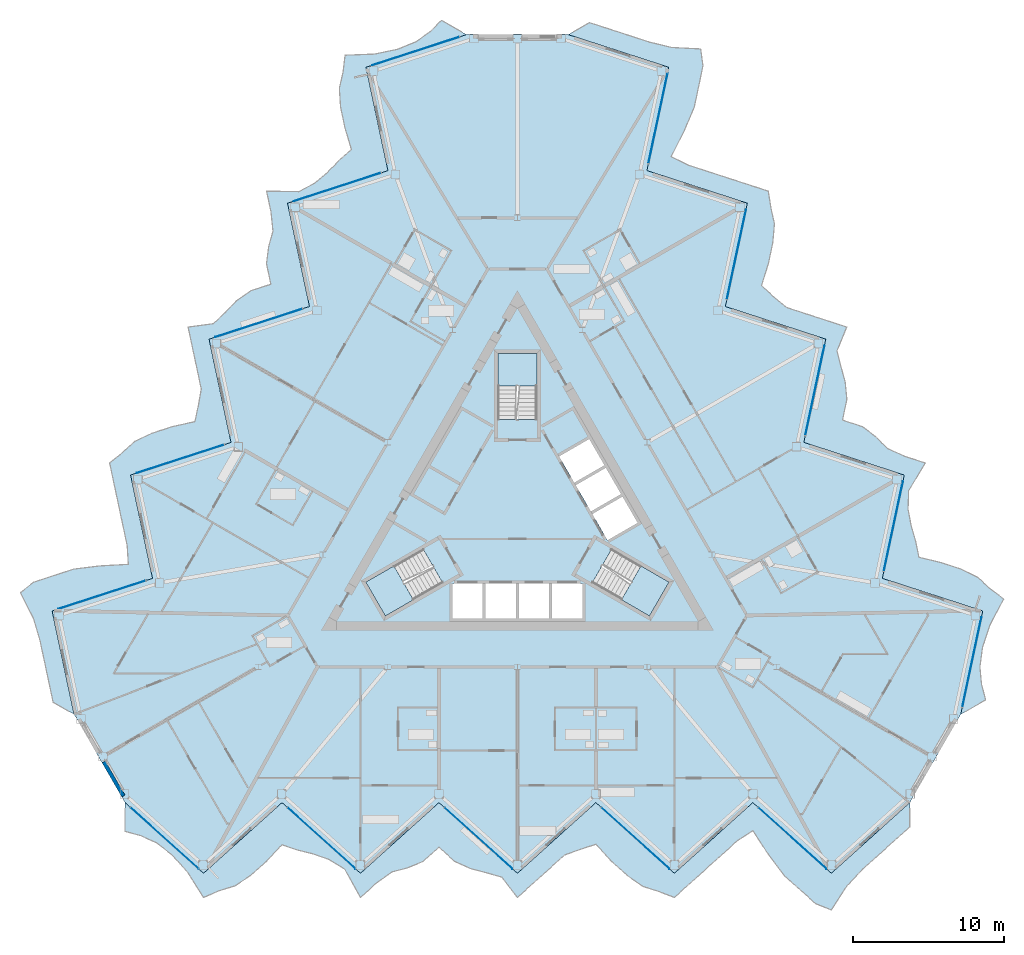
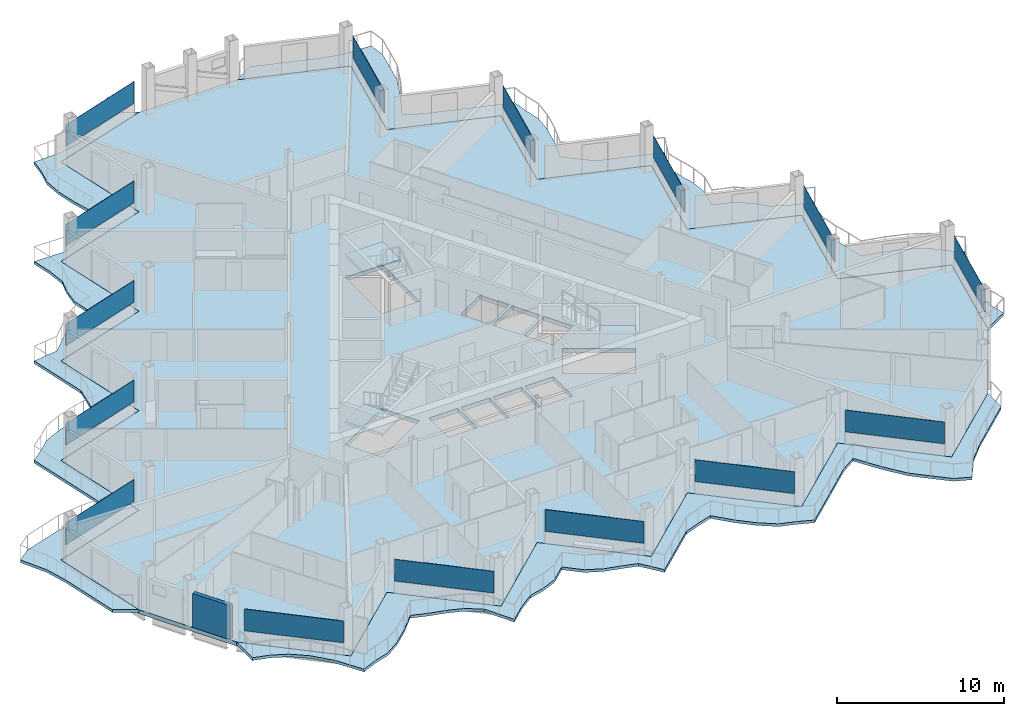
# One storey, part 12 of 27: 15 plates, 7 slabs, 1 wall, 18 elements without a shape of their own.
"""IFC4 building model written with IfcOpenShell, lengths in metres."""

from ifc_helpers import new_model, si_unit, direction, frame, frame_2d, origin, origin_2d, place, context, subcontext, project, spatial, polyline, rectangle, outline, extrude, material, layer, layer_set, type_object, element, aggregate, save


model = new_model("IFC4")

# Units and contexts
model_context = context("Model", 3, precision=1e-05, world=origin(), true_north=direction((0.0, 1.0)))
body_context = subcontext(model_context, "Body", "Model", "MODEL_VIEW")
ifc_project = project(units=[si_unit("LENGTHUNIT", "METRE"), si_unit("AREAUNIT", "SQUARE_METRE"), si_unit("VOLUMEUNIT", "CUBIC_METRE"), si_unit("PLANEANGLEUNIT", "RADIAN"), si_unit("MASSUNIT", "GRAM", prefix="KILO")], contexts=[model_context])

# Site, building, storey
site_placement = place(None, origin())
site = spatial("IfcSite", under=ifc_project, at=site_placement, CompositionType="ELEMENT")
building_placement = place(site_placement, origin())
building = spatial("IfcBuilding", under=site, at=building_placement, Name="Cormorant Prow Tower", CompositionType="ELEMENT")
storey_placement = place(building_placement, frame((0.0, 0.0, 312.0)))
storey = spatial("IfcBuildingStorey", under=building, at=storey_placement, Name="L68", CompositionType="ELEMENT", Elevation=312.0)

# Slabs
ifc_material_1 = material(Name="Concrete C40/50", Category="concrete")
ifc_layer_1 = layer(ifc_material_1, 0.199951171875)
ifc_layer_set_1 = layer_set([ifc_layer_1], Name="Concrete C40/50")
slab_type_1 = type_object("IfcSlabType", Name="Balcony slab 200", PredefinedType="FLOOR", material=ifc_layer_set_1)
slab_1_placement = place(storey_placement, frame((0.0, 0.0, -0.199951171875)))
element("IfcSlab", 1, at=slab_1_placement, inside=storey, type_object=slab_type_1, Name="Balcony slab S L68", PredefinedType="FLOOR", context=body_context, shape_type="SweptSolid", body=[
    extrude(outline(polyline([(-25.964111328125, -18.886474609375), (-25.964111328125, -20.78662109375), (-24.925537109375, -21.069580078125), (-23.886962890625, -21.544189453125), (-22.848388671875, -22.345458984375), (-21.809814453125, -23.512939453125), (-20.771240234375, -25.162109375), (-19.732666015625, -24.71533203125), (-18.694091796875, -24.397216796875), (-17.655517578125, -23.706787109375), (-16.616943359375, -22.771728515625), (-15.578369140625, -21.678955078125), (-14.539794921875, -22.0263671875), (-13.501220703125, -22.284423828125), (-12.462890625, -22.65185546875), (-11.42431640625, -23.295166015625), (-10.3857421875, -25.162109375), (-9.34716796875, -24.22705078125), (-8.30859375, -23.473388671875), (-7.27001953125, -23.204833984375), (-6.2314453125, -22.771728515625), (-5.19287109375, -21.83642578125), (-4.154296875, -22.771728515625), (-3.11572265625, -23.248046875), (-2.0771484375, -23.521728515625), (-1.03857421875, -23.816162109375), (0.0, -25.162109375), (1.03857421875, -24.22705078125), (2.0771484375, -23.2919921875), (3.11572265625, -22.356689453125), (4.154296875, -21.979248046875), (5.19287109375, -21.644287109375), (6.2314453125, -22.771728515625), (7.27001953125, -23.706787109375), (8.30859375, -24.433837890625), (9.34716796875, -24.76318359375), (10.3857421875, -25.162109375), (11.42431640625, -24.22705078125), (12.462890625, -23.2919921875), (13.501220703125, -22.356689453125), (14.539794921875, -21.421630859375), (15.578369140625, -20.738037109375), (16.616943359375, -22.331787109375), (17.655517578125, -23.706787109375), (18.694091796875, -24.641845703125), (19.732666015625, -25.56884765625), (20.771240234375, -25.990478515625), (21.809814453125, -24.386962890625), (22.848388671875, -23.2919921875), (23.886962890625, -22.356689453125), (24.925537109375, -21.421630859375), (25.964111328125, -20.486572265625), (25.964111328125, -18.886474609375), (24.925537109375, -19.82177734375), (23.886962890625, -20.7568359375), (22.848388671875, -21.69189453125), (21.809814453125, -22.626953125), (20.771240234375, -23.562255859375), (19.732666015625, -22.626953125), (18.694091796875, -21.69189453125), (17.655517578125, -20.7568359375), (16.616943359375, -19.82177734375), (15.578369140625, -18.886474609375), (14.539794921875, -19.82177734375), (13.501220703125, -20.7568359375), (12.462890625, -21.69189453125), (11.42431640625, -22.626953125), (10.3857421875, -23.562255859375), (9.34716796875, -22.626953125), (8.30859375, -21.69189453125), (7.27001953125, -20.7568359375), (6.2314453125, -19.82177734375), (5.19287109375, -18.886474609375), (4.154296875, -19.82177734375), (3.11572265625, -20.7568359375), (2.0771484375, -21.69189453125), (1.03857421875, -22.626953125), (0.0, -23.562255859375), (-1.03857421875, -22.626953125), (-2.0771484375, -21.69189453125), (-3.11572265625, -20.7568359375), (-4.154296875, -19.82177734375), (-5.19287109375, -18.886474609375), (-6.2314453125, -19.82177734375), (-7.27001953125, -20.7568359375), (-8.30859375, -21.69189453125), (-9.34716796875, -22.626953125), (-10.3857421875, -23.562255859375), (-11.42431640625, -22.626953125), (-12.462890625, -21.69189453125), (-13.501220703125, -20.7568359375), (-14.539794921875, -19.82177734375), (-15.578369140625, -18.886474609375), (-16.616943359375, -19.82177734375), (-17.655517578125, -20.7568359375), (-18.694091796875, -21.69189453125), (-19.732666015625, -22.626953125), (-20.771240234375, -23.562255859375), (-21.809814453125, -22.626953125), (-22.848388671875, -21.69189453125), (-23.886962890625, -20.7568359375), (-24.925537109375, -19.82177734375), (-25.964111328125, -18.886474609375)])), origin(), (0.0, 0.0, 1.0), 0.199951171875),
])
slab_2_placement = place(storey_placement, frame((0.0, 0.0, -0.199951171875)))
element("IfcSlab", 2, at=slab_2_placement, inside=storey, type_object=slab_type_1, Name="Balcony slab ENE L68", PredefinedType="FLOOR", context=body_context, shape_type="SweptSolid", body=[
    extrude(outline(polyline([(29.33837890625, -13.042236328125), (30.983642578125, -12.09228515625), (30.70947265625, -11.05126953125), (30.601318359375, -9.91455078125), (30.77587890625, -8.614501953125), (31.267822265625, -7.13134765625), (32.1767578125, -5.407470703125), (31.2705078125, -4.7314453125), (30.475830078125, -3.990966796875), (29.3583984375, -3.436767578125), (28.029296875, -3.0048828125), (26.563720703125, -2.65185546875), (26.345458984375, -1.57861328125), (26.049560546875, -0.55029296875), (25.848388671875, 0.53271484375), (25.886474609375, 1.75390625), (26.98388671875, 3.5869140625), (25.65478515625, 4.018798828125), (24.482666015625, 4.541259765625), (23.73095703125, 5.306396484375), (22.83642578125, 5.9892578125), (21.50732421875, 6.421142578125), (21.798095703125, 7.7880859375), (21.691162109375, 8.92578125), (21.408935546875, 9.9619140625), (21.14453125, 11.008544921875), (21.791015625, 12.5810546875), (20.4619140625, 13.012939453125), (19.1328125, 13.44482421875), (17.8037109375, 13.876708984375), (16.957275390625, 14.587158203125), (16.148193359375, 15.3193359375), (16.605224609375, 16.782470703125), (16.895751953125, 18.1494140625), (17.006103515625, 19.412353515625), (16.77197265625, 20.476318359375), (16.59814453125, 21.575439453125), (15.26904296875, 22.007080078125), (13.93994140625, 22.43896484375), (12.61083984375, 22.870849609375), (11.28173828125, 23.302734375), (10.17041015625, 23.8603515625), (11.031494140625, 25.556640625), (11.702880859375, 27.1435546875), (11.993408203125, 28.510498046875), (12.27685546875, 29.87353515625), (12.122802734375, 30.983642578125), (10.214599609375, 31.081298828125), (8.7470703125, 31.433349609375), (7.41796875, 31.865234375), (6.0888671875, 32.296875), (4.759765625, 32.728759765625), (3.374267578125, 31.928955078125), (4.703369140625, 31.4970703125), (6.032470703125, 31.065185546875), (7.361572265625, 30.63330078125), (8.690673828125, 30.201416015625), (10.019775390625, 29.76953125), (9.729248046875, 28.402587890625), (9.438720703125, 27.03564453125), (9.148193359375, 25.668701171875), (8.857666015625, 24.301513671875), (8.56689453125, 22.9345703125), (9.896240234375, 22.502685546875), (11.225341796875, 22.07080078125), (12.554443359375, 21.63916015625), (13.883544921875, 21.207275390625), (15.212646484375, 20.775390625), (14.922119140625, 19.408447265625), (14.631591796875, 18.041259765625), (14.3408203125, 16.67431640625), (14.05029296875, 15.307373046875), (13.759765625, 13.9404296875), (15.0888671875, 13.508544921875), (16.41796875, 13.07666015625), (17.747314453125, 12.644775390625), (19.076416015625, 12.212890625), (20.405517578125, 11.781005859375), (20.114990234375, 10.4140625), (19.82421875, 9.047119140625), (19.53369140625, 7.68017578125), (19.2431640625, 6.313232421875), (18.95263671875, 4.946044921875), (20.28173828125, 4.514404296875), (21.61083984375, 4.08251953125), (22.93994140625, 3.650634765625), (24.26904296875, 3.21875), (25.598388671875, 2.786865234375), (25.3076171875, 1.419921875), (25.01708984375, 0.052978515625), (24.7265625, -1.314208984375), (24.43603515625, -2.68115234375), (24.1455078125, -4.048095703125), (25.474609375, -4.47998046875), (26.8037109375, -4.911865234375), (28.1328125, -5.34375), (29.4619140625, -5.775634765625), (30.791015625, -6.207275390625), (30.50048828125, -7.574462890625), (30.2099609375, -8.94140625), (29.91943359375, -10.308349609375), (29.62890625, -11.67529296875), (29.33837890625, -13.042236328125)])), origin(), (0.0, 0.0, 1.0), 0.199951171875),
])
slab_3_placement = place(storey_placement, frame((0.0, 0.0, -0.199951171875)))
element("IfcSlab", 3, at=slab_3_placement, inside=storey, type_object=slab_type_1, Name="Balcony slab WNW L68", PredefinedType="FLOOR", context=body_context, shape_type="SweptSolid", body=[
    extrude(outline(polyline([(-3.374267578125, 31.928955078125), (-5.01953125, 32.87890625), (-5.783935546875, 32.120849609375), (-6.71435546875, 31.458740234375), (-7.927490234375, 30.9599609375), (-9.457763671875, 30.644287109375), (-11.405517578125, 30.569580078125), (-11.537841796875, 29.44677734375), (-11.781494140625, 28.38818359375), (-11.702880859375, 27.1435546875), (-11.412353515625, 25.776611328125), (-10.9853515625, 24.330810546875), (-11.805419921875, 23.605224609375), (-12.548095703125, 22.834716796875), (-13.385498046875, 22.118896484375), (-14.462158203125, 21.541259765625), (-16.59814453125, 21.575439453125), (-16.3076171875, 20.208251953125), (-16.17431640625, 18.93212890625), (-16.4609375, 17.8984375), (-16.605224609375, 16.782470703125), (-16.314697265625, 15.415283203125), (-17.643798828125, 14.983642578125), (-18.575439453125, 14.322265625), (-19.331787109375, 13.559814453125), (-20.10595703125, 12.807373046875), (-21.791015625, 12.5810546875), (-21.50048828125, 11.214111328125), (-21.2099609375, 9.84716796875), (-20.91943359375, 8.480224609375), (-21.111572265625, 7.391845703125), (-21.3408203125, 6.324951171875), (-22.83642578125, 5.9892578125), (-24.165771484375, 5.557373046875), (-25.314453125, 5.021484375), (-26.119140625, 4.286865234375), (-26.98388671875, 3.5869140625), (-26.693359375, 2.219970703125), (-26.40283203125, 0.852783203125), (-26.1123046875, -0.51416015625), (-25.82177734375, -1.881103515625), (-25.748779296875, -3.122314453125), (-27.6484375, -3.224853515625), (-29.3583984375, -3.436767578125), (-30.6875, -3.86865234375), (-32.009521484375, -4.3046875), (-32.89404296875, -4.9931640625), (-32.024658203125, -6.694580078125), (-31.595703125, -8.141357421875), (-31.304931640625, -9.50830078125), (-31.014404296875, -10.875244140625), (-30.723876953125, -12.242431640625), (-29.33837890625, -13.042236328125), (-29.62890625, -11.67529296875), (-29.91943359375, -10.308349609375), (-30.2099609375, -8.94140625), (-30.50048828125, -7.574462890625), (-30.791015625, -6.207275390625), (-29.4619140625, -5.775634765625), (-28.1328125, -5.34375), (-26.8037109375, -4.911865234375), (-25.474609375, -4.47998046875), (-24.1455078125, -4.048095703125), (-24.43603515625, -2.68115234375), (-24.7265625, -1.314208984375), (-25.01708984375, 0.052978515625), (-25.3076171875, 1.419921875), (-25.598388671875, 2.786865234375), (-24.26904296875, 3.21875), (-22.93994140625, 3.650634765625), (-21.61083984375, 4.08251953125), (-20.28173828125, 4.514404296875), (-18.95263671875, 4.946044921875), (-19.2431640625, 6.313232421875), (-19.53369140625, 7.68017578125), (-19.82421875, 9.047119140625), (-20.114990234375, 10.4140625), (-20.405517578125, 11.781005859375), (-19.076416015625, 12.212890625), (-17.747314453125, 12.644775390625), (-16.41796875, 13.07666015625), (-15.0888671875, 13.508544921875), (-13.759765625, 13.9404296875), (-14.05029296875, 15.307373046875), (-14.3408203125, 16.67431640625), (-14.631591796875, 18.041259765625), (-14.922119140625, 19.408447265625), (-15.212646484375, 20.775390625), (-13.883544921875, 21.207275390625), (-12.554443359375, 21.63916015625), (-11.225341796875, 22.07080078125), (-9.896240234375, 22.502685546875), (-8.56689453125, 22.9345703125), (-8.857666015625, 24.301513671875), (-9.148193359375, 25.668701171875), (-9.438720703125, 27.03564453125), (-9.729248046875, 28.402587890625), (-10.019775390625, 29.76953125), (-8.690673828125, 30.201416015625), (-7.361572265625, 30.63330078125), (-6.032470703125, 31.065185546875), (-4.703369140625, 31.4970703125), (-3.374267578125, 31.928955078125)])), origin(), (0.0, 0.0, 1.0), 0.199951171875),
])
ifc_material_2 = material(Name="Concrete C40/50", Category="concrete")
ifc_layer_2 = layer(ifc_material_2, 0.300048828125)
ifc_layer_set_2 = layer_set([ifc_layer_2], Name="Concrete C40/50")
slab_type_2 = type_object("IfcSlabType", Name="Post-tensioned flat slab 300", PredefinedType="FLOOR", material=ifc_layer_set_2)
slab_4_placement = place(storey_placement, frame((0.0, 0.0, -0.300048828125)))
element("IfcSlab", 4, at=slab_4_placement, inside=storey, type_object=slab_type_2, Name="Floor slab L68", PredefinedType="FLOOR", context=body_context, shape_type="SweptSolid", body=[
    extrude(outline(polyline([(-8.56689453125, 22.9345703125), (-15.212646484375, 20.775390625), (-13.759765625, 13.9404296875), (-20.405517578125, 11.781005859375), (-18.95263671875, 4.946044921875), (-25.598388671875, 2.786865234375), (-24.1455078125, -4.048095703125), (-30.791015625, -6.207275390625), (-29.33837890625, -13.042236328125), (-27.651123046875, -15.96435546875), (-25.964111328125, -18.886474609375), (-20.771240234375, -23.562255859375), (-15.578369140625, -18.886474609375), (-10.3857421875, -23.562255859375), (-5.19287109375, -18.886474609375), (0.0, -23.562255859375), (5.19287109375, -18.886474609375), (10.3857421875, -23.562255859375), (15.578369140625, -18.886474609375), (20.771240234375, -23.562255859375), (25.964111328125, -18.886474609375), (27.651123046875, -15.96435546875), (29.33837890625, -13.042236328125), (30.791015625, -6.207275390625), (24.1455078125, -4.048095703125), (25.598388671875, 2.786865234375), (18.95263671875, 4.946044921875), (20.405517578125, 11.781005859375), (13.759765625, 13.9404296875), (15.212646484375, 20.775390625), (8.56689453125, 22.9345703125), (10.019775390625, 29.76953125), (3.374267578125, 31.928955078125), (0.0, 31.928955078125), (-3.374267578125, 31.928955078125), (-10.019775390625, 29.76953125), (-8.56689453125, 22.9345703125)]), holes=[polyline([(-4.300048828125, -4.39990234375), (-2.300048828125, -4.39990234375), (-2.300048828125, -6.699951171875), (-4.300048828125, -6.699951171875), (-4.300048828125, -4.39990234375)]), polyline([(-0.10009765625, -4.39990234375), (-0.10009765625, -6.699951171875), (-2.10009765625, -6.699951171875), (-2.10009765625, -4.39990234375), (-0.10009765625, -4.39990234375)]), polyline([(2.10009765625, -6.699951171875), (0.10009765625, -6.699951171875), (0.10009765625, -4.39990234375), (2.10009765625, -4.39990234375), (2.10009765625, -6.699951171875)]), polyline([(2.300048828125, -6.699951171875), (2.300048828125, -4.39990234375), (4.300048828125, -4.39990234375), (4.300048828125, -6.699951171875), (2.300048828125, -6.699951171875)]), polyline([(5.96044921875, -1.52392578125), (4.96044921875, 0.2080078125), (6.952392578125, 1.358154296875), (7.952392578125, -0.373779296875), (5.96044921875, -1.52392578125)]), polyline([(3.860595703125, 2.11328125), (5.852294921875, 3.263427734375), (6.852294921875, 1.53125), (4.860595703125, 0.38134765625), (3.860595703125, 2.11328125)]), polyline([(4.75244140625, 5.168701171875), (5.75244140625, 3.4365234375), (3.760498046875, 2.28662109375), (2.760498046875, 4.018798828125), (4.75244140625, 5.168701171875)]), polyline([(-4.947509765625, -4.3505859375), (-8.738037109375, -6.5390625), (-10.031982421875, -4.2978515625), (-6.241455078125, -2.109375), (-4.947509765625, -4.3505859375)]), polyline([(10.031982421875, -4.2978515625), (8.738037109375, -6.5390625), (4.947509765625, -4.3505859375), (6.241455078125, -2.109375), (10.031982421875, -4.2978515625)]), polyline([(1.2939453125, 10.8369140625), (1.2939453125, 6.459716796875), (-1.2939453125, 6.459716796875), (-1.2939453125, 10.8369140625), (1.2939453125, 10.8369140625)])]), origin(), (0.0, 0.0, 1.0), 0.300048828125),
])

# Curtain wall, plate
ifc_material_3 = material(Name="Aluminium 6063-T6", Category="aluminium")
ifc_layer_3 = layer(ifc_material_3, 0.159912109375)
ifc_layer_set_3 = layer_set([ifc_layer_3], Name="Aluminium 6063-T6")
curtain_wall_type = type_object("IfcCurtainWallType", Name="Residential unitised curtain wall 160", PredefinedType="NOTDEFINED", material=ifc_layer_set_3)
curtain_wall_1_placement = place(storey_placement, origin())
curtain_wall_1 = element("IfcCurtainWall", 5, at=curtain_wall_1_placement, inside=storey, type_object=curtain_wall_type, Name="Residential curtain wall S00", PredefinedType="NOTDEFINED")
ifc_material_4 = material(Name="Clear glass", Category="glass")
ifc_layer_4 = layer(ifc_material_4, 0.02392578125)
ifc_layer_set_4 = layer_set([ifc_layer_4], Name="Clear glass")
plate_type = type_object("IfcPlateType", Name="Residential glass panel 24", PredefinedType="CURTAIN_PANEL", material=ifc_layer_set_4)
plate_1_placement = place(storey_placement, frame((-23.34912109375, -21.2412109375, 0.89990234375), z_axis=(0.0, 0.0, 1.0), x_axis=(0.743144813413, -0.669130619757, 0.0)))
plate_1 = element("IfcPlate", 6, at=plate_1_placement, type_object=plate_type, Name="Residential glass panel S00", PredefinedType="CURTAIN_PANEL", context=body_context, shape_type="SweptSolid", body=[
    extrude(rectangle(XDim=6.069580078125, YDim=0.02392578125, at=origin_2d()), origin(), (0.0, 0.0, 1.0), 1.587890625),
])
aggregate(curtain_wall_1, [plate_1])

curtain_wall_2_placement = place(storey_placement, origin())
curtain_wall_2 = element("IfcCurtainWall", 7, at=curtain_wall_2_placement, inside=storey, type_object=curtain_wall_type, Name="Residential curtain wall S02", PredefinedType="NOTDEFINED")
plate_2_placement = place(storey_placement, frame((-12.96337890625, -21.2412109375, 0.89990234375), z_axis=(0.0, 0.0, 1.0), x_axis=(0.743144813413, -0.669130619757, 0.0)))
plate_2 = element("IfcPlate", 8, at=plate_2_placement, type_object=plate_type, Name="Residential glass panel S02", PredefinedType="CURTAIN_PANEL", context=body_context, shape_type="SweptSolid", body=[
    extrude(rectangle(XDim=6.069580078125, YDim=0.02392578125, at=origin_2d()), origin(), (0.0, 0.0, 1.0), 1.587890625),
])
aggregate(curtain_wall_2, [plate_2])

curtain_wall_3_placement = place(storey_placement, origin())
curtain_wall_3 = element("IfcCurtainWall", 9, at=curtain_wall_3_placement, inside=storey, type_object=curtain_wall_type, Name="Residential curtain wall S04", PredefinedType="NOTDEFINED")
plate_3_placement = place(storey_placement, frame((-2.577880859375, -21.2412109375, 0.89990234375), z_axis=(0.0, 0.0, 1.0), x_axis=(0.743144813413, -0.669130619757, 0.0)))
plate_3 = element("IfcPlate", 10, at=plate_3_placement, type_object=plate_type, Name="Residential glass panel S04", PredefinedType="CURTAIN_PANEL", context=body_context, shape_type="SweptSolid", body=[
    extrude(rectangle(XDim=6.069580078125, YDim=0.02392578125, at=origin_2d()), origin(), (0.0, 0.0, 1.0), 1.587890625),
])
aggregate(curtain_wall_3, [plate_3])

curtain_wall_4_placement = place(storey_placement, origin())
curtain_wall_4 = element("IfcCurtainWall", 11, at=curtain_wall_4_placement, inside=storey, type_object=curtain_wall_type, Name="Residential curtain wall S06", PredefinedType="NOTDEFINED")
plate_4_placement = place(storey_placement, frame((7.807861328125, -21.2412109375, 0.89990234375), z_axis=(0.0, 0.0, 1.0), x_axis=(0.743144813413, -0.669130619757, 0.0)))
plate_4 = element("IfcPlate", 12, at=plate_4_placement, type_object=plate_type, Name="Residential glass panel S06", PredefinedType="CURTAIN_PANEL", context=body_context, shape_type="SweptSolid", body=[
    extrude(rectangle(XDim=6.069580078125, YDim=0.02392578125, at=origin_2d()), origin(), (0.0, 0.0, 1.0), 1.587890625),
])
aggregate(curtain_wall_4, [plate_4])

curtain_wall_5_placement = place(storey_placement, origin())
curtain_wall_5 = element("IfcCurtainWall", 13, at=curtain_wall_5_placement, inside=storey, type_object=curtain_wall_type, Name="Residential curtain wall S08", PredefinedType="NOTDEFINED")
plate_5_placement = place(storey_placement, frame((18.193359375, -21.2412109375, 0.89990234375), z_axis=(0.0, 0.0, 1.0), x_axis=(0.743144813413, -0.669130619757, 0.0)))
plate_5 = element("IfcPlate", 14, at=plate_5_placement, type_object=plate_type, Name="Residential glass panel S08", PredefinedType="CURTAIN_PANEL", context=body_context, shape_type="SweptSolid", body=[
    extrude(rectangle(XDim=6.069580078125, YDim=0.02392578125, at=origin_2d()), origin(), (0.0, 0.0, 1.0), 1.587890625),
])
aggregate(curtain_wall_5, [plate_5])

curtain_wall_6_placement = place(storey_placement, origin())
curtain_wall_6 = element("IfcCurtainWall", 15, at=curtain_wall_6_placement, inside=storey, type_object=curtain_wall_type, Name="Residential curtain wall ENE00", PredefinedType="NOTDEFINED")
plate_6_placement = place(storey_placement, frame((30.06982421875, -9.600341796875, 0.89990234375), z_axis=(0.0, 0.0, 1.0), x_axis=(0.207911622991, 0.978147615151, 0.0)))
plate_6 = element("IfcPlate", 16, at=plate_6_placement, type_object=plate_type, Name="Residential glass panel ENE00", PredefinedType="CURTAIN_PANEL", context=body_context, shape_type="SweptSolid", body=[
    extrude(rectangle(XDim=6.069580078125, YDim=0.02392578125, at=origin_2d()), origin(), (0.0, 0.0, 1.0), 1.587890625),
])
aggregate(curtain_wall_6, [plate_6])

curtain_wall_7_placement = place(storey_placement, origin())
curtain_wall_7 = element("IfcCurtainWall", 17, at=curtain_wall_7_placement, inside=storey, type_object=curtain_wall_type, Name="Residential curtain wall ENE02", PredefinedType="NOTDEFINED")
plate_7_placement = place(storey_placement, frame((24.876953125, -0.606201171875, 0.89990234375), z_axis=(0.0, 0.0, 1.0), x_axis=(0.207911759908, 0.978147586048, 0.0)))
plate_7 = element("IfcPlate", 18, at=plate_7_placement, type_object=plate_type, Name="Residential glass panel ENE02", PredefinedType="CURTAIN_PANEL", context=body_context, shape_type="SweptSolid", body=[
    extrude(rectangle(XDim=6.069580078125, YDim=0.02392578125, at=origin_2d()), origin(), (0.0, 0.0, 1.0), 1.587890625),
])
aggregate(curtain_wall_7, [plate_7])

curtain_wall_8_placement = place(storey_placement, origin())
curtain_wall_8 = element("IfcCurtainWall", 19, at=curtain_wall_8_placement, inside=storey, type_object=curtain_wall_type, Name="Residential curtain wall ENE04", PredefinedType="NOTDEFINED")
plate_8_placement = place(storey_placement, frame((19.684326171875, 8.38818359375, 0.89990234375), z_axis=(0.0, 0.0, 1.0), x_axis=(0.207911759908, 0.978147586048, 0.0)))
plate_8 = element("IfcPlate", 20, at=plate_8_placement, type_object=plate_type, Name="Residential glass panel ENE04", PredefinedType="CURTAIN_PANEL", context=body_context, shape_type="SweptSolid", body=[
    extrude(rectangle(XDim=6.069580078125, YDim=0.02392578125, at=origin_2d()), origin(), (0.0, 0.0, 1.0), 1.587890625),
])
aggregate(curtain_wall_8, [plate_8])

curtain_wall_9_placement = place(storey_placement, origin())
curtain_wall_9 = element("IfcCurtainWall", 21, at=curtain_wall_9_placement, inside=storey, type_object=curtain_wall_type, Name="Residential curtain wall ENE06", PredefinedType="NOTDEFINED")
plate_9_placement = place(storey_placement, frame((14.491455078125, 17.38232421875, 0.89990234375), z_axis=(0.0, 0.0, 1.0), x_axis=(0.207911759908, 0.978147586048, 0.0)))
plate_9 = element("IfcPlate", 22, at=plate_9_placement, type_object=plate_type, Name="Residential glass panel ENE06", PredefinedType="CURTAIN_PANEL", context=body_context, shape_type="SweptSolid", body=[
    extrude(rectangle(XDim=6.069580078125, YDim=0.02392578125, at=origin_2d()), origin(), (0.0, 0.0, 1.0), 1.587890625),
])
aggregate(curtain_wall_9, [plate_9])

curtain_wall_10_placement = place(storey_placement, origin())
curtain_wall_10 = element("IfcCurtainWall", 23, at=curtain_wall_10_placement, inside=storey, type_object=curtain_wall_type, Name="Residential curtain wall ENE08", PredefinedType="NOTDEFINED")
plate_10_placement = place(storey_placement, frame((9.298583984375, 26.37646484375, 0.89990234375), z_axis=(0.0, 0.0, 1.0), x_axis=(0.207911622991, 0.978147615151, 0.0)))
plate_10 = element("IfcPlate", 24, at=plate_10_placement, type_object=plate_type, Name="Residential glass panel ENE08", PredefinedType="CURTAIN_PANEL", context=body_context, shape_type="SweptSolid", body=[
    extrude(rectangle(XDim=6.069580078125, YDim=0.02392578125, at=origin_2d()), origin(), (0.0, 0.0, 1.0), 1.587890625),
])
aggregate(curtain_wall_10, [plate_10])

curtain_wall_11_placement = place(storey_placement, origin())
curtain_wall_11 = element("IfcCurtainWall", 25, at=curtain_wall_11_placement, inside=storey, type_object=curtain_wall_type, Name="Residential curtain wall WNW00", PredefinedType="NOTDEFINED")
plate_11_placement = place(storey_placement, frame((-6.720703125, 30.841552734375, 0.89990234375), z_axis=(0.0, 0.0, 1.0), x_axis=(-0.951056532303, -0.309016945109, 0.0)))
plate_11 = element("IfcPlate", 26, at=plate_11_placement, type_object=plate_type, Name="Residential glass panel WNW00", PredefinedType="CURTAIN_PANEL", context=body_context, shape_type="SweptSolid", body=[
    extrude(rectangle(XDim=6.069580078125, YDim=0.02392578125, at=origin_2d()), origin(), (0.0, 0.0, 1.0), 1.587890625),
])
aggregate(curtain_wall_11, [plate_11])

curtain_wall_12_placement = place(storey_placement, origin())
curtain_wall_12 = element("IfcCurtainWall", 27, at=curtain_wall_12_placement, inside=storey, type_object=curtain_wall_type, Name="Residential curtain wall WNW02", PredefinedType="NOTDEFINED")
plate_12_placement = place(storey_placement, frame((-11.91357421875, 21.84716796875, 0.89990234375), z_axis=(0.0, 0.0, 1.0), x_axis=(-0.951056532303, -0.309016945109, 0.0)))
plate_12 = element("IfcPlate", 28, at=plate_12_placement, type_object=plate_type, Name="Residential glass panel WNW02", PredefinedType="CURTAIN_PANEL", context=body_context, shape_type="SweptSolid", body=[
    extrude(rectangle(XDim=6.069580078125, YDim=0.02392578125, at=origin_2d()), origin(), (0.0, 0.0, 1.0), 1.587890625),
])
aggregate(curtain_wall_12, [plate_12])

curtain_wall_13_placement = place(storey_placement, origin())
curtain_wall_13 = element("IfcCurtainWall", 29, at=curtain_wall_13_placement, inside=storey, type_object=curtain_wall_type, Name="Residential curtain wall WNW04", PredefinedType="NOTDEFINED")
plate_13_placement = place(storey_placement, frame((-17.1064453125, 12.85302734375, 0.89990234375), z_axis=(0.0, 0.0, 1.0), x_axis=(-0.95105649024, -0.309017074565, 0.0)))
plate_13 = element("IfcPlate", 30, at=plate_13_placement, type_object=plate_type, Name="Residential glass panel WNW04", PredefinedType="CURTAIN_PANEL", context=body_context, shape_type="SweptSolid", body=[
    extrude(rectangle(XDim=6.069580078125, YDim=0.02392578125, at=origin_2d()), origin(), (0.0, 0.0, 1.0), 1.587890625),
])
aggregate(curtain_wall_13, [plate_13])

curtain_wall_14_placement = place(storey_placement, origin())
curtain_wall_14 = element("IfcCurtainWall", 31, at=curtain_wall_14_placement, inside=storey, type_object=curtain_wall_type, Name="Residential curtain wall WNW06", PredefinedType="NOTDEFINED")
plate_14_placement = place(storey_placement, frame((-22.29931640625, 3.85888671875, 0.89990234375), z_axis=(0.0, 0.0, 1.0), x_axis=(-0.951056518636, -0.309016987171, 0.0)))
plate_14 = element("IfcPlate", 32, at=plate_14_placement, type_object=plate_type, Name="Residential glass panel WNW06", PredefinedType="CURTAIN_PANEL", context=body_context, shape_type="SweptSolid", body=[
    extrude(rectangle(XDim=6.069580078125, YDim=0.02392578125, at=origin_2d()), origin(), (0.0, 0.0, 1.0), 1.587890625),
])
aggregate(curtain_wall_14, [plate_14])

curtain_wall_15_placement = place(storey_placement, origin())
curtain_wall_15 = element("IfcCurtainWall", 33, at=curtain_wall_15_placement, inside=storey, type_object=curtain_wall_type, Name="Residential curtain wall WNW08", PredefinedType="NOTDEFINED")
plate_15_placement = place(storey_placement, frame((-27.491943359375, -5.135498046875, 0.89990234375), z_axis=(0.0, 0.0, 1.0), x_axis=(-0.951056532303, -0.309016945109, 0.0)))
plate_15 = element("IfcPlate", 34, at=plate_15_placement, type_object=plate_type, Name="Residential glass panel WNW08", PredefinedType="CURTAIN_PANEL", context=body_context, shape_type="SweptSolid", body=[
    extrude(rectangle(XDim=6.069580078125, YDim=0.02392578125, at=origin_2d()), origin(), (0.0, 0.0, 1.0), 1.587890625),
])
aggregate(curtain_wall_15, [plate_15])

# Stair, slab
ifc_material_5 = material(Name="Exit stair 18 risers")
stair_type = type_object("IfcStairType", Name="Exit stair 18 risers", PredefinedType="HALF_TURN_STAIR", material=ifc_material_5)
stair_1_placement = place(storey_placement, origin())
stair_1 = element("IfcStair", 35, at=stair_1_placement, inside=storey, type_object=stair_type, Name="L68 Exit stair ST1", PredefinedType="HALF_TURN_STAIR")
ifc_material_6 = material(Name="Concrete 5000 psi", Category="concrete")
ifc_layer_5 = layer(ifc_material_6, 0.199951171875)
ifc_layer_set_5 = layer_set([ifc_layer_5], Name="Concrete 5000 psi")
slab_type_3 = type_object("IfcSlabType", Name="Stair landing 200", PredefinedType="LANDING", material=ifc_layer_set_5)
slab_5_placement = place(storey_placement, frame((0.0, 0.0, 1.5)))
slab_5 = element("IfcSlab", 36, at=slab_5_placement, type_object=slab_type_3, Name="ST1 landing 1", PredefinedType="LANDING", context=body_context, shape_type="SweptSolid", body=[
    extrude(outline(polyline([(-8.17431640625, -3.225341796875), (-10.031982421875, -4.2978515625), (-8.738037109375, -6.5390625), (-6.88037109375, -5.466552734375), (-8.17431640625, -3.225341796875)])), origin(), (0.0, 0.0, 1.0), 0.199951171875),
])
aggregate(stair_1, [slab_5])

stair_2_placement = place(storey_placement, origin())
stair_2 = element("IfcStair", 37, at=stair_2_placement, inside=storey, type_object=stair_type, Name="L68 Exit stair ST2", PredefinedType="HALF_TURN_STAIR")
slab_6_placement = place(storey_placement, frame((0.0, 0.0, 1.5)))
slab_6 = element("IfcSlab", 38, at=slab_6_placement, type_object=slab_type_3, Name="ST2 landing 1", PredefinedType="LANDING", context=body_context, shape_type="SweptSolid", body=[
    extrude(outline(polyline([(6.88037109375, -5.466552734375), (8.738037109375, -6.5390625), (10.031982421875, -4.2978515625), (8.17431640625, -3.225341796875), (6.88037109375, -5.466552734375)])), origin(), (0.0, 0.0, 1.0), 0.199951171875),
])
aggregate(stair_2, [slab_6])

stair_3_placement = place(storey_placement, origin())
stair_3 = element("IfcStair", 39, at=stair_3_placement, inside=storey, type_object=stair_type, Name="L68 Exit stair ST3", PredefinedType="HALF_TURN_STAIR")
slab_7_placement = place(storey_placement, frame((0.0, 0.0, 1.5)))
slab_7 = element("IfcSlab", 40, at=slab_7_placement, type_object=slab_type_3, Name="ST3 landing 1", PredefinedType="LANDING", context=body_context, shape_type="SweptSolid", body=[
    extrude(outline(polyline([(1.2939453125, 8.69189453125), (1.2939453125, 10.8369140625), (-1.2939453125, 10.8369140625), (-1.2939453125, 8.69189453125), (1.2939453125, 8.69189453125)])), origin(), (0.0, 0.0, 1.0), 0.199951171875),
])
aggregate(stair_3, [slab_7])

# Wall
ifc_material_7 = material(Name="Terracotta", Category="masonry")
ifc_layer_6 = layer(ifc_material_7, 0.25)
ifc_layer_set_6 = layer_set([ifc_layer_6], Name="Terracotta")
wall_type = type_object("IfcWallType", Name="Terracotta bay wall 250", PredefinedType="SOLIDWALL", material=ifc_layer_set_6)
wall_placement = place(storey_placement, frame((-27.377685546875, -16.18798828125, 0.0), z_axis=(0.0, 0.0, 1.0), x_axis=(0.499992367345, -0.866029810455, 0.0)))
element("IfcWall", 41, at=wall_placement, inside=storey, type_object=wall_type, Name="Terracotta bay wall WSW01", PredefinedType="SOLIDWALL", context=body_context, shape_type="SweptSolid", body=[
    extrude(rectangle(XDim=2.60986328125, YDim=0.25, at=frame_2d((1.304931640625, 0.0))), origin(), (0.0, 0.0, 1.0), 2.48779296875),
])

save(model, "model.ifc")
